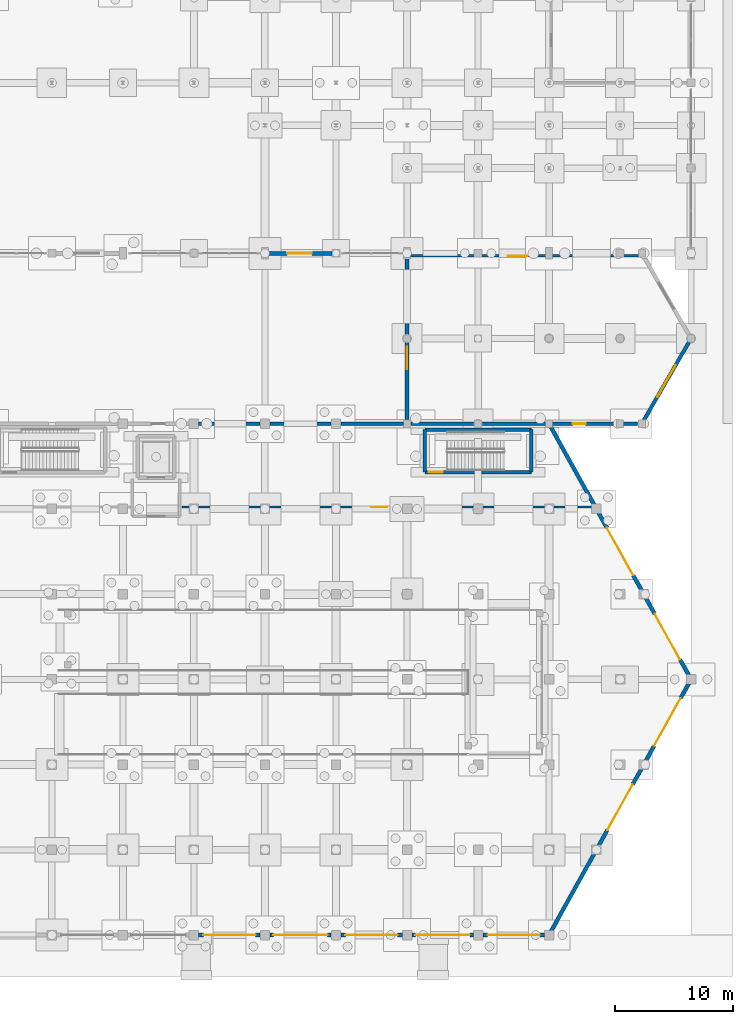
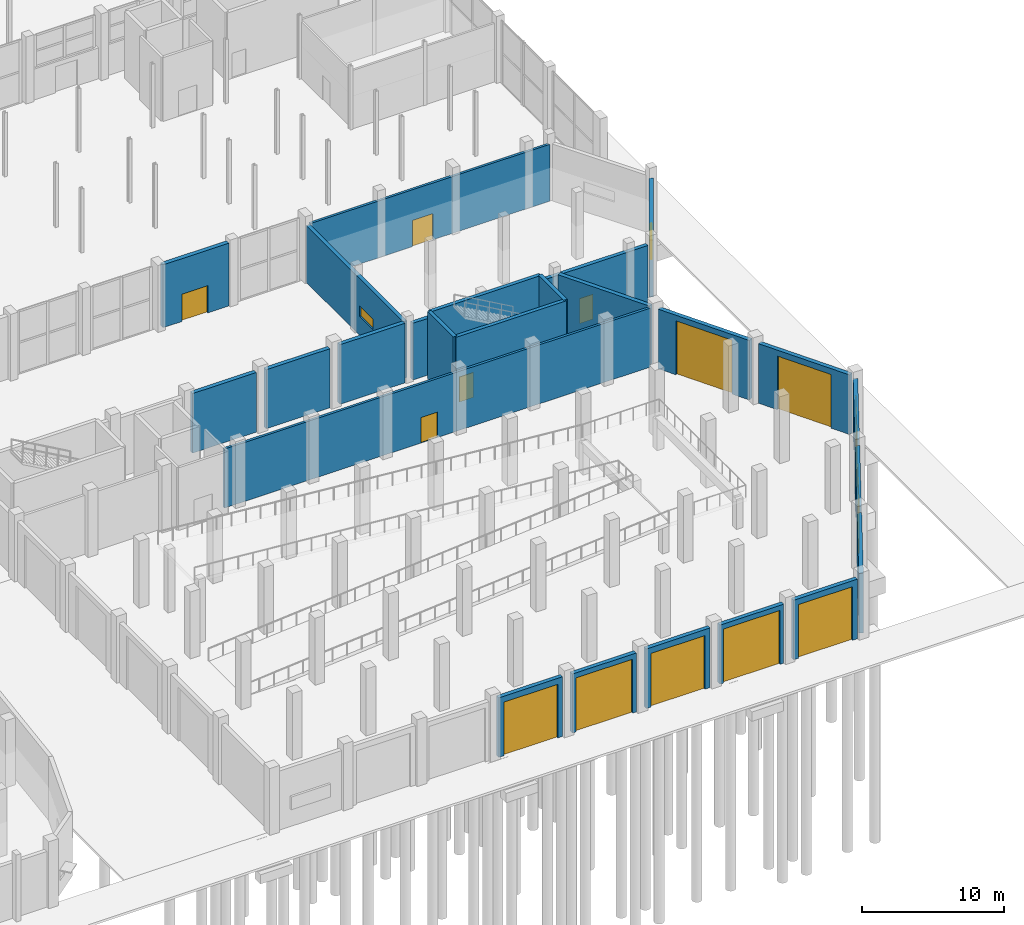
# One storey, part 83 of 103: 24 walls, 14 doors, 2 windows, 16 openings.
"""IFC4 building model written with IfcOpenShell, lengths in metres."""

from ifc_helpers import new_model, si_unit, direction, frame, frame_2d, origin, place, context, subcontext, project, spatial, rectangle, extrude, material, layer, layer_set, type_object, element, fill, save


model = new_model("IFC4")

# Units and contexts
model_context = context("Model", 3, precision=1e-05, world=origin(), true_north=direction((0.0, 1.0)))
body_context = subcontext(model_context, "Body", "Model", "MODEL_VIEW")
ifc_project = project(units=[si_unit("LENGTHUNIT", "METRE"), si_unit("AREAUNIT", "SQUARE_METRE"), si_unit("VOLUMEUNIT", "CUBIC_METRE"), si_unit("PLANEANGLEUNIT", "RADIAN"), si_unit("MASSUNIT", "GRAM", prefix="KILO")], contexts=[model_context])

# Site, building, storey
site_placement = place(None, origin())
site = spatial("IfcSite", under=ifc_project, at=site_placement, CompositionType="ELEMENT")
building_placement = place(site_placement, origin())
building = spatial("IfcBuilding", under=site, at=building_placement, Name="Dunvalen Ferry Terminal", CompositionType="ELEMENT")
storey_placement = place(building_placement, origin())
storey = spatial("IfcBuildingStorey", under=building, at=storey_placement, Name="L00", CompositionType="ELEMENT", Elevation=0.0)

# Wall, opening, door
ifc_material_1 = material(Name="Precast concrete C40/50", Category="concrete")
ifc_layer_1 = layer(ifc_material_1, 0.31005859375, Name="Precast concrete C40/50")
ifc_layer_set_1 = layer_set([ifc_layer_1], Name="Precast concrete C40/50")
wall_type_1 = type_object("IfcWallType", Name="ENV-WL-ANX310", PredefinedType="SOLIDWALL", material=ifc_layer_set_1)
wall_1_placement = place(storey_placement, frame((144.35009765625, 43.199951171875, 0.0), z_axis=(0.0, 0.0, 1.0), x_axis=(1.0, 0.0, 0.0)))
wall_1 = element("IfcWall", 1, at=wall_1_placement, inside=storey, type_object=wall_type_1, Name="L00 V2ASE Faceted Precast Wall 01", PredefinedType="SOLIDWALL", context=body_context, shape_type="SweptSolid", body=[
    extrude(rectangle(XDim=19.14306640625, YDim=0.31005859375, at=frame_2d((9.571533203125, 0.0))), origin(), (0.0, 0.0, 1.0), 4.889892578125),
])
opening_1_placement = place(wall_1_placement, frame((13.64990234375, 0.0, 0.0)))
opening_1 = element("IfcOpeningElement", 2, at=opening_1_placement, cuts=wall_1, Name="Opening ED-06", PredefinedType="OPENING", context=body_context, shape_type="SweptSolid", body=[
    extrude(rectangle(XDim=1.10009765625, YDim=2.14990234375, at=frame_2d((0.550048828125, 1.074951171875))), frame((0.0, 0.1650390625, 0.0), z_axis=(0.0, -1.0, 0.0), x_axis=(1.0, 0.0, 0.0)), (0.0, 0.0, 1.0), 0.330078125),
])
ifc_material_2 = material(Name="Marine grade powder-coated aluminium and laminated glass", Category="aluminium")
door_type_1 = type_object("IfcDoorType", Name="ENV-DR-EXT-1100", OperationType="NOTDEFINED", PredefinedType="DOOR", material=ifc_material_2)
door_1_placement = place(opening_1_placement, frame((1.10009765625, 0.0, 0.0), z_axis=(0.0, 0.0, 1.0), x_axis=(-1.0, 0.0, 0.0)))
door_1 = element("IfcDoor", 3, at=door_1_placement, inside=storey, type_object=door_type_1, Name="L00 V2ASE Exterior Discharge Door", OperationType="SINGLE_SWING_LEFT", OverallHeight=2.14990234375, OverallWidth=1.10009765625, PredefinedType="DOOR", context=body_context, shape_type="SweptSolid", body=[
    extrude(rectangle(XDim=1.10009765625, YDim=2.14990234375, at=frame_2d((0.550048828125, 1.074951171875))), frame((0.0, 0.02490234375, 0.0), z_axis=(0.0, -1.0, 0.0), x_axis=(1.0, 0.0, 0.0)), (0.0, 0.0, 1.0), 0.050048828125),
])
fill(opening_1, door_1)

# Wall, opening, window
wall_2_placement = place(storey_placement, frame((164.01806640625, 43.503173828125, 0.0), z_axis=(0.0, 0.0, 1.0), x_axis=(0.499998170572, 0.866026460002, 0.0)))
wall_2 = element("IfcWall", 4, at=wall_2_placement, inside=storey, type_object=wall_type_1, Name="L00 V2ASE Faceted Precast Wall 02", PredefinedType="SOLIDWALL", context=body_context, shape_type="SweptSolid", body=[
    extrude(rectangle(XDim=7.61376953125, YDim=0.31005859375, at=frame_2d((3.806884765625, 0.0))), origin(), (0.0, 0.0, 1.0), 4.889892578125),
])
opening_2_placement = place(wall_2_placement, frame((2.2568359375, 0.0, 1.64990234375)))
opening_2 = element("IfcOpeningElement", 5, at=opening_2_placement, cuts=wall_2, Name="Opening W-14", PredefinedType="OPENING", context=body_context, shape_type="SweptSolid", body=[
    extrude(rectangle(XDim=3.10009765625, YDim=0.949951171875, at=frame_2d((1.550048828125, 0.47509765625))), frame((0.0, 0.1650390625, 0.0), z_axis=(0.0, -1.0, 0.0), x_axis=(1.0, 0.0, 0.0)), (0.0, 0.0, 1.0), 0.330078125),
])
ifc_material_3 = material(Name="Thermally broken aluminium and double glazing", Category="aluminium")
window_type_1 = type_object("IfcWindowType", Name="ENV-WIN-CLR-14", PartitioningType="SINGLE_PANEL", PredefinedType="WINDOW", material=ifc_material_3)
window_1_placement = place(opening_2_placement, origin())
window_1 = element("IfcWindow", 6, at=window_1_placement, inside=storey, type_object=window_type_1, Name="L00 V2ASE Clerestory Window 02", OverallHeight=0.949951171875, OverallWidth=3.10009765625, PartitioningType="SINGLE_PANEL", PredefinedType="WINDOW", context=body_context, shape_type="SweptSolid", body=[
    extrude(rectangle(XDim=3.10009765625, YDim=0.949951171875, at=frame_2d((1.550048828125, 0.47509765625))), frame((0.0, 0.030029296875, 0.0), z_axis=(0.0, -1.0, 0.0), x_axis=(1.0, 0.0, 0.0)), (0.0, 0.0, 1.0), 0.06005859375),
])
fill(opening_2, window_1)

wall_3_placement = place(storey_placement, frame((144.0, 57.25, 0.0), z_axis=(0.0, 0.0, 1.0), x_axis=(0.0, -1.0, 0.0)))
wall_3 = element("IfcWall", 7, at=wall_3_placement, inside=storey, type_object=wall_type_1, Name="L00 V2ASE Faceted Precast Wall 05", PredefinedType="SOLIDWALL", context=body_context, shape_type="SweptSolid", body=[
    extrude(rectangle(XDim=13.699951171875, YDim=0.31005859375, at=frame_2d((6.85009765625, 0.0))), origin(), (0.0, 0.0, 1.0), 4.889892578125),
])
opening_3_placement = place(wall_3_placement, frame((7.558837890625, 0.0, 1.64990234375)))
opening_3 = element("IfcOpeningElement", 8, at=opening_3_placement, cuts=wall_3, Name="Opening W-16", PredefinedType="OPENING", context=body_context, shape_type="SweptSolid", body=[
    extrude(rectangle(XDim=1.89990234375, YDim=0.89990234375, at=frame_2d((0.949951171875, 0.449951171875))), frame((0.0, 0.1650390625, 0.0), z_axis=(0.0, -1.0, 0.0), x_axis=(1.0, 0.0, 0.0)), (0.0, 0.0, 1.0), 0.330078125),
])
window_type_2 = type_object("IfcWindowType", Name="ENV-WIN-CLR-16", PartitioningType="SINGLE_PANEL", PredefinedType="WINDOW", material=ifc_material_3)
window_2_placement = place(opening_3_placement, origin())
window_2 = element("IfcWindow", 9, at=window_2_placement, inside=storey, type_object=window_type_2, Name="L00 V2ASE Clerestory Window 05", OverallHeight=0.89990234375, OverallWidth=1.89990234375, PartitioningType="SINGLE_PANEL", PredefinedType="WINDOW", context=body_context, shape_type="SweptSolid", body=[
    extrude(rectangle(XDim=1.89990234375, YDim=0.89990234375, at=frame_2d((0.949951171875, 0.449951171875))), frame((0.0, 0.030029296875, 0.0), z_axis=(0.0, -1.0, 0.0), x_axis=(1.0, 0.0, 0.0)), (0.0, 0.0, 1.0), 0.06005859375),
])
fill(opening_3, window_2)

# Wall, opening, door
ifc_layer_2 = layer(ifc_material_1, 0.340087890625, Name="Precast concrete C40/50")
ifc_layer_set_2 = layer_set([ifc_layer_2], Name="Precast concrete C40/50")
wall_type_2 = type_object("IfcWallType", Name="ENV-WL-SPN340", PredefinedType="SOLIDWALL", material=ifc_layer_set_2)
wall_4_placement = place(storey_placement, frame((132.302001953125, 57.60009765625, 0.0), z_axis=(0.0, 0.0, 1.0), x_axis=(1.0, 0.0, 0.0)))
wall_4 = element("IfcWall", 10, at=wall_4_placement, inside=storey, type_object=wall_type_2, Name="L00 Arrivals Hall South Exit Portal Wall 05", PredefinedType="SOLIDWALL", context=body_context, shape_type="SweptSolid", body=[
    extrude(rectangle(XDim=5.37109375, YDim=0.340087890625, at=frame_2d((2.685546875, 0.0))), origin(), (0.0, 0.0, 1.0), 5.409912109375),
])
opening_4_placement = place(wall_4_placement, frame((1.559326171875, 0.0, 0.0)))
opening_4 = element("IfcOpeningElement", 11, at=opening_4_placement, cuts=wall_4, Name="Opening ED-02", PredefinedType="OPENING", context=body_context, shape_type="SweptSolid", body=[
    extrude(rectangle(XDim=2.10009765625, YDim=2.35009765625, at=frame_2d((1.050048828125, 1.175048828125))), frame((0.0, 0.18017578125, 0.0), z_axis=(0.0, -1.0, 0.0), x_axis=(1.0, 0.0, 0.0)), (0.0, 0.0, 1.0), 0.360107421875),
])
door_type_2 = type_object("IfcDoorType", Name="ENV-DR-EXT-2100", OperationType="DOUBLE_SWING_LEFT", PredefinedType="DOOR", material=ifc_material_2)
door_2_placement = place(opening_4_placement, frame((2.10009765625, 0.0, 0.0), z_axis=(0.0, 0.0, 1.0), x_axis=(-1.0, 0.0, 0.0)))
door_2 = element("IfcDoor", 12, at=door_2_placement, inside=storey, type_object=door_type_2, Name="L00 Arrivals Hall Main Exit Door 05", OperationType="DOUBLE_SWING_LEFT", OverallHeight=2.35009765625, OverallWidth=2.10009765625, PredefinedType="DOOR", context=body_context, shape_type="SweptSolid", body=[
    extrude(rectangle(XDim=2.10009765625, YDim=2.35009765625, at=frame_2d((1.050048828125, 1.175048828125))), frame((0.0, 0.02490234375, 0.0), z_axis=(0.0, -1.0, 0.0), x_axis=(1.0, 0.0, 0.0)), (0.0, 0.0, 1.0), 0.050048828125),
])
fill(opening_4, door_2)

ifc_material_4 = material(Name="Concrete C40/50", Category="concrete")
ifc_layer_3 = layer(ifc_material_4, 0.330078125, Name="Concrete C40/50")
ifc_layer_set_3 = layer_set([ifc_layer_3], Name="Concrete C40/50")
wall_type_3 = type_object("IfcWallType", Name="ENV-WL-VEH330", PredefinedType="SOLIDWALL", material=ifc_layer_set_3)
wall_5_placement = place(storey_placement, frame((126.402099609375, 0.0, 0.0), z_axis=(0.0, 0.0, 1.0), x_axis=(1.0, 0.0, 0.0)))
wall_5 = element("IfcWall", 13, at=wall_5_placement, inside=storey, type_object=wall_type_3, Name="L00 Vehicle Marshalling South Portal Wall 04", PredefinedType="SOLIDWALL", context=body_context, shape_type="SweptSolid", body=[
    extrude(rectangle(XDim=5.19580078125, YDim=0.330078125, at=frame_2d((2.597900390625, 0.0))), origin(), (0.0, 0.0, 1.0), 5.1298828125),
])
opening_5_placement = place(wall_5_placement, frame((0.39794921875, 0.0, 0.0)))
opening_5 = element("IfcOpeningElement", 14, at=opening_5_placement, cuts=wall_5, Name="Opening VG-02", PredefinedType="OPENING", context=body_context, shape_type="SweptSolid", body=[
    extrude(rectangle(XDim=4.39990234375, YDim=4.6201171875, at=frame_2d((2.199951171875, 2.31005859375))), frame((0.0, 0.175048828125, 0.0), z_axis=(0.0, -1.0, 0.0), x_axis=(1.0, 0.0, 0.0)), (0.0, 0.0, 1.0), 0.35009765625),
])
door_type_3 = type_object("IfcDoorType", Name="ENV-GT-VEH-4500", OperationType="ROLLINGUP", PredefinedType="GATE", material=ifc_material_2)
door_3_placement = place(opening_5_placement, frame((4.39990234375, 0.0, 0.0), z_axis=(0.0, 0.0, 1.0), x_axis=(-1.0, 0.0, 0.0)))
door_3 = element("IfcDoor", 15, at=door_3_placement, inside=storey, type_object=door_type_3, Name="L00 South Ro-Ro Marshalling Portal Gate 04", OperationType="ROLLINGUP", OverallHeight=4.6201171875, OverallWidth=4.39990234375, PredefinedType="GATE", context=body_context, shape_type="SweptSolid", body=[
    extrude(rectangle(XDim=4.39990234375, YDim=4.6201171875, at=frame_2d((2.199951171875, 2.31005859375))), frame((0.0, 0.02490234375, 0.0), z_axis=(0.0, -1.0, 0.0), x_axis=(1.0, 0.0, 0.0)), (0.0, 0.0, 1.0), 0.050048828125),
])
fill(opening_5, door_3)

wall_6_placement = place(storey_placement, frame((132.402099609375, 0.0, 0.0), z_axis=(0.0, 0.0, 1.0), x_axis=(1.0, 0.0, 0.0)))
wall_6 = element("IfcWall", 16, at=wall_6_placement, inside=storey, type_object=wall_type_3, Name="L00 Vehicle Marshalling South Portal Wall 05", PredefinedType="SOLIDWALL", context=body_context, shape_type="SweptSolid", body=[
    extrude(rectangle(XDim=5.19580078125, YDim=0.330078125, at=frame_2d((2.597900390625, 0.0))), origin(), (0.0, 0.0, 1.0), 5.080078125),
])
opening_6_placement = place(wall_6_placement, frame((0.298095703125, 0.0, 0.0)))
opening_6 = element("IfcOpeningElement", 17, at=opening_6_placement, cuts=wall_6, Name="Opening VG-01", PredefinedType="OPENING", context=body_context, shape_type="SweptSolid", body=[
    extrude(rectangle(XDim=4.60009765625, YDim=4.64990234375, at=frame_2d((2.300048828125, 2.324951171875))), frame((0.0, 0.175048828125, 0.0), z_axis=(0.0, -1.0, 0.0), x_axis=(1.0, 0.0, 0.0)), (0.0, 0.0, 1.0), 0.35009765625),
])
door_type_4 = type_object("IfcDoorType", Name="ENV-GT-VEH-4800", OperationType="ROLLINGUP", PredefinedType="GATE", material=ifc_material_2)
door_4_placement = place(opening_6_placement, frame((4.60009765625, 0.0, 0.0), z_axis=(0.0, 0.0, 1.0), x_axis=(-1.0, 0.0, 0.0)))
door_4 = element("IfcDoor", 18, at=door_4_placement, inside=storey, type_object=door_type_4, Name="L00 South Ro-Ro Marshalling Portal Gate 05", OperationType="ROLLINGUP", OverallHeight=4.64990234375, OverallWidth=4.60009765625, PredefinedType="GATE", context=body_context, shape_type="SweptSolid", body=[
    extrude(rectangle(XDim=4.60009765625, YDim=4.64990234375, at=frame_2d((2.300048828125, 2.324951171875))), frame((0.0, 0.02490234375, 0.0), z_axis=(0.0, -1.0, 0.0), x_axis=(1.0, 0.0, 0.0)), (0.0, 0.0, 1.0), 0.050048828125),
])
fill(opening_6, door_4)

wall_7_placement = place(storey_placement, frame((138.402099609375, 0.0, 0.0), z_axis=(0.0, 0.0, 1.0), x_axis=(1.0, 0.0, 0.0)))
wall_7 = element("IfcWall", 19, at=wall_7_placement, inside=storey, type_object=wall_type_3, Name="L00 Vehicle Marshalling South Portal Wall 06", PredefinedType="SOLIDWALL", context=body_context, shape_type="SweptSolid", body=[
    extrude(rectangle(XDim=5.19580078125, YDim=0.330078125, at=frame_2d((2.597900390625, 0.0))), origin(), (0.0, 0.0, 1.0), 5.1298828125),
])
opening_7_placement = place(wall_7_placement, frame((0.39794921875, 0.0, 0.0)))
opening_7 = element("IfcOpeningElement", 20, at=opening_7_placement, cuts=wall_7, Name="Opening VG-02", PredefinedType="OPENING", context=body_context, shape_type="SweptSolid", body=[
    extrude(rectangle(XDim=4.39990234375, YDim=4.6201171875, at=frame_2d((2.199951171875, 2.31005859375))), frame((0.0, 0.175048828125, 0.0), z_axis=(0.0, -1.0, 0.0), x_axis=(1.0, 0.0, 0.0)), (0.0, 0.0, 1.0), 0.35009765625),
])
door_5_placement = place(opening_7_placement, frame((4.39990234375, 0.0, 0.0), z_axis=(0.0, 0.0, 1.0), x_axis=(-1.0, 0.0, 0.0)))
door_5 = element("IfcDoor", 21, at=door_5_placement, inside=storey, type_object=door_type_3, Name="L00 South Ro-Ro Marshalling Portal Gate 06", OperationType="ROLLINGUP", OverallHeight=4.6201171875, OverallWidth=4.39990234375, PredefinedType="GATE", context=body_context, shape_type="SweptSolid", body=[
    extrude(rectangle(XDim=4.39990234375, YDim=4.6201171875, at=frame_2d((2.199951171875, 2.31005859375))), frame((0.0, 0.02490234375, 0.0), z_axis=(0.0, -1.0, 0.0), x_axis=(1.0, 0.0, 0.0)), (0.0, 0.0, 1.0), 0.050048828125),
])
fill(opening_7, door_5)

wall_8_placement = place(storey_placement, frame((144.402099609375, 0.0, 0.0), z_axis=(0.0, 0.0, 1.0), x_axis=(1.0, 0.0, 0.0)))
wall_8 = element("IfcWall", 22, at=wall_8_placement, inside=storey, type_object=wall_type_3, Name="L00 Vehicle Marshalling South Portal Wall 07", PredefinedType="SOLIDWALL", context=body_context, shape_type="SweptSolid", body=[
    extrude(rectangle(XDim=5.19580078125, YDim=0.330078125, at=frame_2d((2.597900390625, 0.0))), origin(), (0.0, 0.0, 1.0), 5.080078125),
])
opening_8_placement = place(wall_8_placement, frame((0.298095703125, 0.0, 0.0)))
opening_8 = element("IfcOpeningElement", 23, at=opening_8_placement, cuts=wall_8, Name="Opening VG-01", PredefinedType="OPENING", context=body_context, shape_type="SweptSolid", body=[
    extrude(rectangle(XDim=4.60009765625, YDim=4.64990234375, at=frame_2d((2.300048828125, 2.324951171875))), frame((0.0, 0.175048828125, 0.0), z_axis=(0.0, -1.0, 0.0), x_axis=(1.0, 0.0, 0.0)), (0.0, 0.0, 1.0), 0.35009765625),
])
door_6_placement = place(opening_8_placement, frame((4.60009765625, 0.0, 0.0), z_axis=(0.0, 0.0, 1.0), x_axis=(-1.0, 0.0, 0.0)))
door_6 = element("IfcDoor", 24, at=door_6_placement, inside=storey, type_object=door_type_4, Name="L00 South Ro-Ro Marshalling Portal Gate 07", OperationType="ROLLINGUP", OverallHeight=4.64990234375, OverallWidth=4.60009765625, PredefinedType="GATE", context=body_context, shape_type="SweptSolid", body=[
    extrude(rectangle(XDim=4.60009765625, YDim=4.64990234375, at=frame_2d((2.300048828125, 2.324951171875))), frame((0.0, 0.02490234375, 0.0), z_axis=(0.0, -1.0, 0.0), x_axis=(1.0, 0.0, 0.0)), (0.0, 0.0, 1.0), 0.050048828125),
])
fill(opening_8, door_6)

wall_9_placement = place(storey_placement, frame((150.402099609375, 0.0, 0.0), z_axis=(0.0, 0.0, 1.0), x_axis=(1.0, 0.0, 0.0)))
wall_9 = element("IfcWall", 25, at=wall_9_placement, inside=storey, type_object=wall_type_3, Name="L00 Vehicle Marshalling South Portal Wall 08", PredefinedType="SOLIDWALL", context=body_context, shape_type="SweptSolid", body=[
    extrude(rectangle(XDim=5.19580078125, YDim=0.330078125, at=frame_2d((2.597900390625, 0.0))), origin(), (0.0, 0.0, 1.0), 5.1298828125),
])
opening_9_placement = place(wall_9_placement, frame((0.39794921875, 0.0, 0.0)))
opening_9 = element("IfcOpeningElement", 26, at=opening_9_placement, cuts=wall_9, Name="Opening VG-02", PredefinedType="OPENING", context=body_context, shape_type="SweptSolid", body=[
    extrude(rectangle(XDim=4.39990234375, YDim=4.6201171875, at=frame_2d((2.199951171875, 2.31005859375))), frame((0.0, 0.175048828125, 0.0), z_axis=(0.0, -1.0, 0.0), x_axis=(1.0, 0.0, 0.0)), (0.0, 0.0, 1.0), 0.35009765625),
])
door_7_placement = place(opening_9_placement, frame((4.39990234375, 0.0, 0.0), z_axis=(0.0, 0.0, 1.0), x_axis=(-1.0, 0.0, 0.0)))
door_7 = element("IfcDoor", 27, at=door_7_placement, inside=storey, type_object=door_type_3, Name="L00 South Ro-Ro Marshalling Portal Gate 08", OperationType="ROLLINGUP", OverallHeight=4.6201171875, OverallWidth=4.39990234375, PredefinedType="GATE", context=body_context, shape_type="SweptSolid", body=[
    extrude(rectangle(XDim=4.39990234375, YDim=4.6201171875, at=frame_2d((2.199951171875, 2.31005859375))), frame((0.0, 0.02490234375, 0.0), z_axis=(0.0, -1.0, 0.0), x_axis=(1.0, 0.0, 0.0)), (0.0, 0.0, 1.0), 0.050048828125),
])
fill(opening_9, door_7)

# Wall
wall_10_placement = place(storey_placement, frame((156.1748046875, 0.314697265625, 0.0), z_axis=(0.0, 0.0, 1.0), x_axis=(0.485651204539, 0.874152679759, 0.0)))
element("IfcWall", 28, at=wall_10_placement, inside=storey, type_object=wall_type_3, Name="L00 Hexagon-Cut Service Wing East Facet Wall 01", PredefinedType="SOLIDWALL", context=body_context, shape_type="SweptSolid", body=[
    extrude(rectangle(XDim=7.5166015625, YDim=0.330078125, at=frame_2d((3.75830078125, 0.0))), origin(), (0.0, 0.0, 1.0), 5.1298828125),
])

# Wall, opening, door
wall_11_placement = place(storey_placement, frame((160.1748046875, 7.5146484375, 0.0), z_axis=(0.0, 0.0, 1.0), x_axis=(0.485651204539, 0.874152679759, 0.0)))
wall_11 = element("IfcWall", 29, at=wall_11_placement, inside=storey, type_object=wall_type_3, Name="L00 Hexagon-Cut Service Wing East Facet Wall 02", PredefinedType="SOLIDWALL", context=body_context, shape_type="SweptSolid", body=[
    extrude(rectangle(XDim=7.5166015625, YDim=0.330078125, at=frame_2d((3.75830078125, 0.0))), origin(), (0.0, 0.0, 1.0), 5.1298828125),
])
opening_10_placement = place(wall_11_placement, frame((1.558349609375, 0.0, 0.0)))
opening_10 = element("IfcOpeningElement", 30, at=opening_10_placement, cuts=wall_11, Name="Opening VG-02", PredefinedType="OPENING", context=body_context, shape_type="SweptSolid", body=[
    extrude(rectangle(XDim=4.39990234375, YDim=4.6201171875, at=frame_2d((2.199951171875, 2.31005859375))), frame((0.0, 0.175048828125, 0.0), z_axis=(0.0, -1.0, 0.0), x_axis=(1.0, 0.0, 0.0)), (0.0, 0.0, 1.0), 0.35009765625),
])
door_8_placement = place(opening_10_placement, frame((4.39990234375, 0.0, 0.0), z_axis=(0.0, 0.0, 1.0), x_axis=(-1.0, 0.0, 0.0)))
door_8 = element("IfcDoor", 31, at=door_8_placement, inside=storey, type_object=door_type_3, Name="L00 East Hexagon-Cut Ro-Ro Portal Gate 02", OperationType="ROLLINGUP", OverallHeight=4.6201171875, OverallWidth=4.39990234375, PredefinedType="GATE", context=body_context, shape_type="SweptSolid", body=[
    extrude(rectangle(XDim=4.39990234375, YDim=4.6201171875, at=frame_2d((2.199951171875, 2.31005859375))), frame((0.0, 0.02490234375, 0.0), z_axis=(0.0, -1.0, 0.0), x_axis=(1.0, 0.0, 0.0)), (0.0, 0.0, 1.0), 0.050048828125),
])
fill(opening_10, door_8)

wall_12_placement = place(storey_placement, frame((164.1748046875, 14.714599609375, 0.0), z_axis=(0.0, 0.0, 1.0), x_axis=(0.485637415738, 0.874160340233, 0.0)))
wall_12 = element("IfcWall", 32, at=wall_12_placement, inside=storey, type_object=wall_type_3, Name="L00 Hexagon-Cut Service Wing East Facet Wall 03", PredefinedType="SOLIDWALL", context=body_context, shape_type="SweptSolid", body=[
    extrude(rectangle(XDim=7.5166015625, YDim=0.330078125, at=frame_2d((3.75830078125, 0.0))), origin(), (0.0, 0.0, 1.0), 5.1298828125),
])
opening_11_placement = place(wall_12_placement, frame((1.458251953125, 0.0, 0.0)))
opening_11 = element("IfcOpeningElement", 33, at=opening_11_placement, cuts=wall_12, Name="Opening VG-01", PredefinedType="OPENING", context=body_context, shape_type="SweptSolid", body=[
    extrude(rectangle(XDim=4.60009765625, YDim=4.64990234375, at=frame_2d((2.300048828125, 2.324951171875))), frame((0.0, 0.175048828125, 0.0), z_axis=(0.0, -1.0, 0.0), x_axis=(1.0, 0.0, 0.0)), (0.0, 0.0, 1.0), 0.35009765625),
])
door_9_placement = place(opening_11_placement, frame((4.60009765625, 0.0, 0.0), z_axis=(0.0, 0.0, 1.0), x_axis=(-1.0, 0.0, 0.0)))
door_9 = element("IfcDoor", 34, at=door_9_placement, inside=storey, type_object=door_type_4, Name="L00 East Hexagon-Cut Ro-Ro Portal Gate 03", OperationType="ROLLINGUP", OverallHeight=4.64990234375, OverallWidth=4.60009765625, PredefinedType="GATE", context=body_context, shape_type="SweptSolid", body=[
    extrude(rectangle(XDim=4.60009765625, YDim=4.64990234375, at=frame_2d((2.300048828125, 2.324951171875))), frame((0.0, 0.02490234375, 0.0), z_axis=(0.0, -1.0, 0.0), x_axis=(1.0, 0.0, 0.0)), (0.0, 0.0, 1.0), 0.050048828125),
])
fill(opening_11, door_9)

wall_13_placement = place(storey_placement, frame((167.8251953125, 21.914794921875, 0.0), z_axis=(0.0, 0.0, 1.0), x_axis=(-0.485651204539, 0.874152679759, 0.0)))
wall_13 = element("IfcWall", 35, at=wall_13_placement, inside=storey, type_object=wall_type_3, Name="L00 Hexagon-Cut Service Wing East Facet Wall 04", PredefinedType="SOLIDWALL", context=body_context, shape_type="SweptSolid", body=[
    extrude(rectangle(XDim=7.5166015625, YDim=0.330078125, at=frame_2d((3.75830078125, 0.0))), origin(), (0.0, 0.0, 1.0), 5.1298828125),
])
opening_12_placement = place(wall_13_placement, frame((1.558349609375, 0.0, 0.0)))
opening_12 = element("IfcOpeningElement", 36, at=opening_12_placement, cuts=wall_13, Name="Opening VG-02", PredefinedType="OPENING", context=body_context, shape_type="SweptSolid", body=[
    extrude(rectangle(XDim=4.39990234375, YDim=4.6201171875, at=frame_2d((2.199951171875, 2.31005859375))), frame((0.0, 0.175048828125, 0.0), z_axis=(0.0, -1.0, 0.0), x_axis=(1.0, 0.0, 0.0)), (0.0, 0.0, 1.0), 0.35009765625),
])
door_10_placement = place(opening_12_placement, frame((4.39990234375, 0.0, 0.0), z_axis=(0.0, 0.0, 1.0), x_axis=(-1.0, 0.0, 0.0)))
door_10 = element("IfcDoor", 37, at=door_10_placement, inside=storey, type_object=door_type_3, Name="L00 East Hexagon-Cut Ro-Ro Portal Gate 04", OperationType="ROLLINGUP", OverallHeight=4.6201171875, OverallWidth=4.39990234375, PredefinedType="GATE", context=body_context, shape_type="SweptSolid", body=[
    extrude(rectangle(XDim=4.39990234375, YDim=4.6201171875, at=frame_2d((2.199951171875, 2.31005859375))), frame((0.0, 0.02490234375, 0.0), z_axis=(0.0, -1.0, 0.0), x_axis=(1.0, 0.0, 0.0)), (0.0, 0.0, 1.0), 0.050048828125),
])
fill(opening_12, door_10)

wall_14_placement = place(storey_placement, frame((163.8251953125, 29.11474609375, 0.0), z_axis=(0.0, 0.0, 1.0), x_axis=(-0.485651204539, 0.874152679759, 0.0)))
wall_14 = element("IfcWall", 38, at=wall_14_placement, inside=storey, type_object=wall_type_3, Name="L00 Hexagon-Cut Service Wing East Facet Wall 05", PredefinedType="SOLIDWALL", context=body_context, shape_type="SweptSolid", body=[
    extrude(rectangle(XDim=7.5166015625, YDim=0.330078125, at=frame_2d((3.75830078125, 0.0))), origin(), (0.0, 0.0, 1.0), 5.1298828125),
])
opening_13_placement = place(wall_14_placement, frame((1.458251953125, 0.0, 0.0)))
opening_13 = element("IfcOpeningElement", 39, at=opening_13_placement, cuts=wall_14, Name="Opening VG-01", PredefinedType="OPENING", context=body_context, shape_type="SweptSolid", body=[
    extrude(rectangle(XDim=4.60009765625, YDim=4.64990234375, at=frame_2d((2.300048828125, 2.324951171875))), frame((0.0, 0.175048828125, 0.0), z_axis=(0.0, -1.0, 0.0), x_axis=(1.0, 0.0, 0.0)), (0.0, 0.0, 1.0), 0.35009765625),
])
door_11_placement = place(opening_13_placement, frame((4.60009765625, 0.0, 0.0), z_axis=(0.0, 0.0, 1.0), x_axis=(-1.0, 0.0, 0.0)))
door_11 = element("IfcDoor", 40, at=door_11_placement, inside=storey, type_object=door_type_4, Name="L00 East Hexagon-Cut Ro-Ro Portal Gate 05", OperationType="ROLLINGUP", OverallHeight=4.64990234375, OverallWidth=4.60009765625, PredefinedType="GATE", context=body_context, shape_type="SweptSolid", body=[
    extrude(rectangle(XDim=4.60009765625, YDim=4.64990234375, at=frame_2d((2.300048828125, 2.324951171875))), frame((0.0, 0.02490234375, 0.0), z_axis=(0.0, -1.0, 0.0), x_axis=(1.0, 0.0, 0.0)), (0.0, 0.0, 1.0), 0.050048828125),
])
fill(opening_13, door_11)

# Walls
wall_15_placement = place(storey_placement, frame((159.8251953125, 36.314697265625, 0.0), z_axis=(0.0, 0.0, 1.0), x_axis=(-0.485651204539, 0.874152679759, 0.0)))
element("IfcWall", 41, at=wall_15_placement, inside=storey, type_object=wall_type_3, Name="L00 Hexagon-Cut Service Wing East Facet Wall 06", PredefinedType="SOLIDWALL", context=body_context, shape_type="SweptSolid", body=[
    extrude(rectangle(XDim=7.5166015625, YDim=0.330078125, at=frame_2d((3.75830078125, 0.0))), origin(), (0.0, 0.0, 1.0), 5.1298828125),
])
wall_16_placement = place(storey_placement, frame((126.402099609375, 43.199951171875, 0.0), z_axis=(0.0, 0.0, 1.0), x_axis=(1.0, 0.0, 0.0)))
element("IfcWall", 42, at=wall_16_placement, inside=storey, type_object=wall_type_3, Name="L00 SPS Inspection North Wall 04", PredefinedType="SOLIDWALL", context=body_context, shape_type="SweptSolid", body=[
    extrude(rectangle(XDim=5.19580078125, YDim=0.330078125, at=frame_2d((2.597900390625, 0.0))), origin(), (0.0, 0.0, 1.0), 5.1298828125),
])
wall_17_placement = place(storey_placement, frame((132.402099609375, 43.199951171875, 0.0), z_axis=(0.0, 0.0, 1.0), x_axis=(1.0, 0.0, 0.0)))
element("IfcWall", 43, at=wall_17_placement, inside=storey, type_object=wall_type_3, Name="L00 SPS Inspection North Wall 05", PredefinedType="SOLIDWALL", context=body_context, shape_type="SweptSolid", body=[
    extrude(rectangle(XDim=5.19580078125, YDim=0.330078125, at=frame_2d((2.597900390625, 0.0))), origin(), (0.0, 0.0, 1.0), 5.080078125),
])
wall_18_placement = place(storey_placement, frame((138.402099609375, 43.199951171875, 0.0), z_axis=(0.0, 0.0, 1.0), x_axis=(1.0, 0.0, 0.0)))
element("IfcWall", 44, at=wall_18_placement, inside=storey, type_object=wall_type_3, Name="L00 SPS Inspection North Wall 06", PredefinedType="SOLIDWALL", context=body_context, shape_type="SweptSolid", body=[
    extrude(rectangle(XDim=5.2958984375, YDim=0.330078125, at=frame_2d((2.64794921875, 0.0))), origin(), (0.0, 0.0, 1.0), 5.1298828125),
])

# Wall, opening, door
ifc_material_5 = material(Name="Autoclaved aerated concrete blockwork", Category="masonry")
ifc_layer_4 = layer(ifc_material_5, 0.199951171875, Name="Autoclaved aerated concrete blockwork")
ifc_layer_set_4 = layer_set([ifc_layer_4], Name="Autoclaved aerated concrete blockwork")
wall_type_4 = type_object("IfcWallType", Name="INT-WL-CMP200", PredefinedType="PARTITIONING", material=ifc_layer_set_4)
wall_19_placement = place(storey_placement, frame((163.716064453125, 57.3798828125, 0.0), z_axis=(0.0, 0.0, 1.0), x_axis=(-1.0, 0.0, 0.0)))
wall_19 = element("IfcWall", 45, at=wall_19_placement, inside=storey, type_object=wall_type_4, Name="L00 L00 Customs Green and Red Inspection Hall Partition 5", PredefinedType="PARTITIONING", context=body_context, shape_type="SweptSolid", body=[
    extrude(rectangle(XDim=19.49609375, YDim=0.199951171875, at=frame_2d((9.748046875, 0.0))), origin(), (0.0, 0.0, 1.0), 4.889892578125),
])
opening_14_placement = place(wall_19_placement, frame((9.49853515625, 0.0, 0.0)))
opening_14 = element("IfcOpeningElement", 46, at=opening_14_placement, cuts=wall_19, Name="Opening ID-08", PredefinedType="OPENING", context=body_context, shape_type="SweptSolid", body=[
    extrude(rectangle(XDim=1.699951171875, YDim=2.25, at=frame_2d((0.85009765625, 1.125))), frame((0.0, 0.10986328125, 0.0), z_axis=(0.0, -1.0, 0.0), x_axis=(1.0, 0.0, 0.0)), (0.0, 0.0, 1.0), 0.219970703125),
])
ifc_material_6 = material(Name="Anodised aluminium glazed door", Category="aluminium")
door_type_5 = type_object("IfcDoorType", Name="INT-DR-CUS-1700", OperationType="DOUBLE_SWING_LEFT", PredefinedType="DOOR", material=ifc_material_6)
door_12_placement = place(opening_14_placement, origin())
door_12 = element("IfcDoor", 47, at=door_12_placement, inside=storey, type_object=door_type_5, Name="L00 Customs Green and Red Inspection Hall Door", OperationType="DOUBLE_SWING_LEFT", OverallHeight=2.25, OverallWidth=1.699951171875, PredefinedType="DOOR", context=body_context, shape_type="SweptSolid", body=[
    extrude(rectangle(XDim=1.699951171875, YDim=2.25, at=frame_2d((0.85009765625, 1.125))), frame((0.0, 0.02490234375, 0.0), z_axis=(0.0, -1.0, 0.0), x_axis=(1.0, 0.0, 0.0)), (0.0, 0.0, 1.0), 0.050048828125),
])
fill(opening_14, door_12)

wall_20_placement = place(storey_placement, frame((124.969970703125, 36.159912109375, 0.0), z_axis=(0.0, 0.0, 1.0), x_axis=(1.0, 0.0, 0.0)))
wall_20 = element("IfcWall", 48, at=wall_20_placement, inside=storey, type_object=wall_type_4, Name="L00 L00 Freight Customs and SPS Inspection Bays Partition 1", PredefinedType="PARTITIONING", context=body_context, shape_type="SweptSolid", body=[
    extrude(rectangle(XDim=34.689453125, YDim=0.199951171875, at=frame_2d((17.3447265625, 0.0))), origin(), (0.0, 0.0, 1.0), 5.080078125),
])
opening_15_placement = place(wall_20_placement, frame((15.992431640625, 0.0, 0.0)))
opening_15 = element("IfcOpeningElement", 49, at=opening_15_placement, cuts=wall_20, Name="Opening ID-09", PredefinedType="OPENING", context=body_context, shape_type="SweptSolid", body=[
    extrude(rectangle(XDim=1.35009765625, YDim=2.199951171875, at=frame_2d((0.675048828125, 1.10009765625))), frame((0.0, 0.10986328125, 0.0), z_axis=(0.0, -1.0, 0.0), x_axis=(1.0, 0.0, 0.0)), (0.0, 0.0, 1.0), 0.219970703125),
])
ifc_material_7 = material(Name="Powder-coated steel fire door", Category="steel")
door_type_6 = type_object("IfcDoorType", Name="INT-DR-SPS-1350", OperationType="NOTDEFINED", PredefinedType="DOOR", material=ifc_material_7)
door_13_placement = place(opening_15_placement, origin())
door_13 = element("IfcDoor", 50, at=door_13_placement, inside=storey, type_object=door_type_6, Name="L00 Freight Customs and SPS Inspection Bays Door", OperationType="SINGLE_SWING_LEFT", OverallHeight=2.199951171875, OverallWidth=1.35009765625, PredefinedType="DOOR", context=body_context, shape_type="SweptSolid", body=[
    extrude(rectangle(XDim=1.35009765625, YDim=2.199951171875, at=frame_2d((0.675048828125, 1.10009765625))), frame((0.0, 0.02490234375, 0.0), z_axis=(0.0, -1.0, 0.0), x_axis=(1.0, 0.0, 0.0)), (0.0, 0.0, 1.0), 0.050048828125),
])
fill(opening_15, door_13)

# Walls
ifc_layer_5 = layer(ifc_material_4, 0.300048828125, Name="Concrete C40/50")
ifc_layer_set_5 = layer_set([ifc_layer_5], Name="Concrete C40/50")
wall_type_5 = type_object("IfcWallType", Name="STR-WL-SHR300", PredefinedType="SHEAR", material=ifc_layer_set_5)
for number, where, z_axis, x_axis, name in (
    (51, (145.5, 39.10009765625, -0.320068359375), (0.0, 0.0, 1.0), (0.0, 1.0, 0.0), "L00 ST6 Core West Shear Wall"),
    (52, (154.5, 39.10009765625, -0.320068359375), (0.0, 0.0, 1.0), (0.0, 1.0, 0.0), "L00 ST6 Core East Shear Wall"),
):
    element("IfcWall", number, at=place(storey_placement, frame(where, z_axis=z_axis, x_axis=x_axis)), inside=storey, type_object=wall_type_5, Name=name, PredefinedType="SHEAR", context=body_context, shape_type="SweptSolid", body=[
        extrude(rectangle(XDim=3.599853515625, YDim=0.300048828125, at=frame_2d((1.7998046875, 0.0))), origin(), (0.0, 0.0, 1.0), 6.080078125),
    ])
wall_21_placement = place(storey_placement, frame((145.5, 42.699951171875, -0.320068359375), z_axis=(0.0, 0.0, 1.0), x_axis=(1.0, 0.0, 0.0)))
element("IfcWall", 53, at=wall_21_placement, inside=storey, type_object=wall_type_5, Name="L00 ST6 Core North Shear Wall", PredefinedType="SHEAR", context=body_context, shape_type="SweptSolid", body=[
    extrude(rectangle(XDim=9.0, YDim=0.300048828125, at=frame_2d((4.5, 0.0))), origin(), (0.0, 0.0, 1.0), 6.080078125),
])

# Wall, opening, door
wall_22_placement = place(storey_placement, frame((145.5, 39.10009765625, -0.320068359375), z_axis=(0.0, 0.0, 1.0), x_axis=(1.0, 0.0, 0.0)))
wall_22 = element("IfcWall", 54, at=wall_22_placement, inside=storey, type_object=wall_type_5, Name="L00 ST6 Core South Shear Wall", PredefinedType="SHEAR", context=body_context, shape_type="SweptSolid", body=[
    extrude(rectangle(XDim=9.0, YDim=0.300048828125, at=frame_2d((4.5, 0.0))), origin(), (0.0, 0.0, 1.0), 6.080078125),
])
opening_16_placement = place(wall_22_placement, frame((0.35009765625, 0.0, 0.320068359375)))
opening_16 = element("IfcOpeningElement", 55, at=opening_16_placement, cuts=wall_22, Name="Opening ID-02", PredefinedType="OPENING", context=body_context, shape_type="SweptSolid", body=[
    extrude(rectangle(XDim=1.14990234375, YDim=2.14990234375, at=frame_2d((0.574951171875, 1.074951171875))), frame((0.0, 0.16015625, 0.0), z_axis=(0.0, -1.0, 0.0), x_axis=(1.0, 0.0, 0.0)), (0.0, 0.0, 1.0), 0.320068359375),
])
door_type_7 = type_object("IfcDoorType", Name="INT-DR-STR-1150", OperationType="NOTDEFINED", PredefinedType="DOOR", material=ifc_material_7)
door_14_placement = place(opening_16_placement, frame((1.14990234375, 0.0, 0.0), z_axis=(0.0, 0.0, 1.0), x_axis=(-1.0, 0.0, 0.0)))
door_14 = element("IfcDoor", 56, at=door_14_placement, inside=storey, type_object=door_type_7, Name="L00 ST6 Escape Stair Fire Door", OperationType="SINGLE_SWING_LEFT", OverallHeight=2.14990234375, OverallWidth=1.14990234375, PredefinedType="DOOR", context=body_context, shape_type="SweptSolid", body=[
    extrude(rectangle(XDim=1.14990234375, YDim=2.14990234375, at=frame_2d((0.574951171875, 1.074951171875))), frame((0.0, 0.02490234375, 0.0), z_axis=(0.0, -1.0, 0.0), x_axis=(1.0, 0.0, 0.0)), (0.0, 0.0, 1.0), 0.050048828125),
])
fill(opening_16, door_14)

save(model, "model.ifc")
